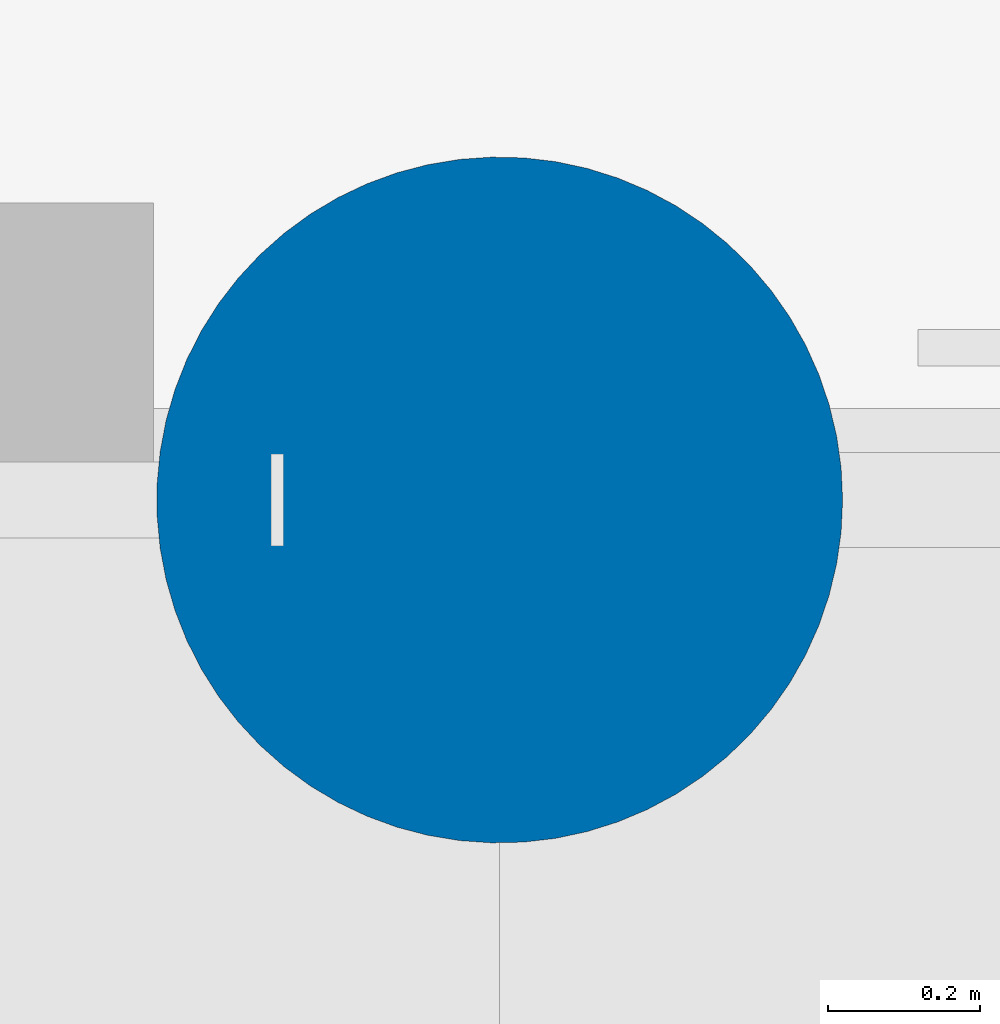
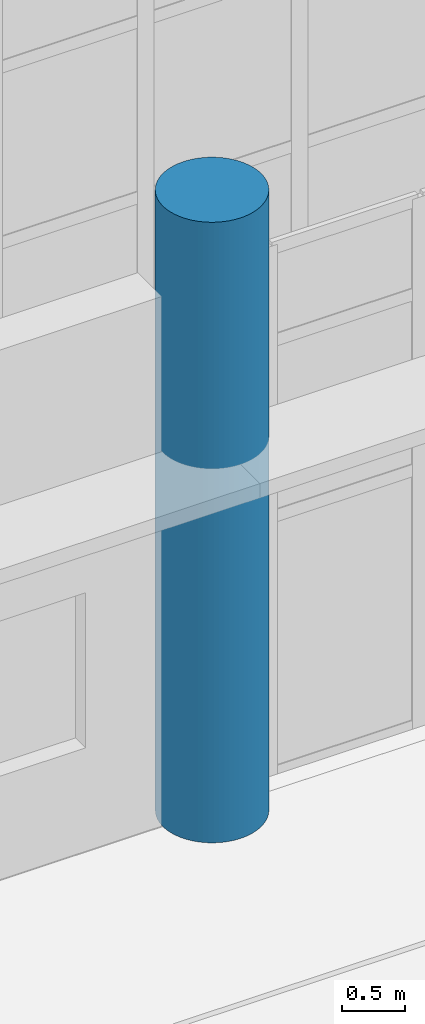
# One storey, part 2 of 139: 1 column.
"""IFC4 building model written with IfcOpenShell, lengths in metres."""

from ifc_helpers import new_model, si_unit, direction, frame, origin, origin_2d, place, context, subcontext, project, spatial, circle, extrude, material, material_profile, profile_set, type_object, element, save


model = new_model("IFC4")

# Units and contexts
model_context = context("Model", 3, precision=1e-05, world=origin(), true_north=direction((0.0, 1.0)))
body_context = subcontext(model_context, "Body", "Model", "MODEL_VIEW")
ifc_project = project(units=[si_unit("LENGTHUNIT", "METRE"), si_unit("AREAUNIT", "SQUARE_METRE"), si_unit("VOLUMEUNIT", "CUBIC_METRE"), si_unit("PLANEANGLEUNIT", "RADIAN"), si_unit("MASSUNIT", "GRAM", prefix="KILO")], contexts=[model_context])

# Site, building, storey
site_placement = place(None, origin())
site = spatial("IfcSite", under=ifc_project, at=site_placement, CompositionType="ELEMENT")
building_placement = place(site_placement, origin())
building = spatial("IfcBuilding", under=site, at=building_placement, Name="Yeouljin Market Hall", CompositionType="ELEMENT")
storey_placement = place(building_placement, origin())
storey = spatial("IfcBuildingStorey", under=building, at=storey_placement, Name="L00", CompositionType="ELEMENT", Elevation=0.0)

# Column
ifc_material = material(Name="Concrete C35/45", Category="concrete")
ifc_material_profile = material_profile(ifc_material, circle(Radius=0.449951171875, at=origin_2d()), Name="RC-D900")
ifc_profile_set = profile_set([ifc_material_profile], Name="Concrete C35/45")
column_type = type_object("IfcColumnType", Name="Col_RC-D900", PredefinedType="COLUMN", material=ifc_profile_set)
column_placement = place(storey_placement, frame((54.60009765625, 0.0, 0.0), z_axis=(0.0, 0.0, 1.0), x_axis=(1.0, 0.0, 0.0)))
element("IfcColumn", 1, at=column_placement, inside=storey, type_object=column_type, Name="Column G-07-00 (L00)", PredefinedType="COLUMN", context=body_context, shape_type="SweptSolid", body=[
    extrude(circle(Radius=0.449951171875, at=origin_2d()), origin(), (0.0, 0.0, 1.0), 6.0),
])

save(model, "model.ifc")
